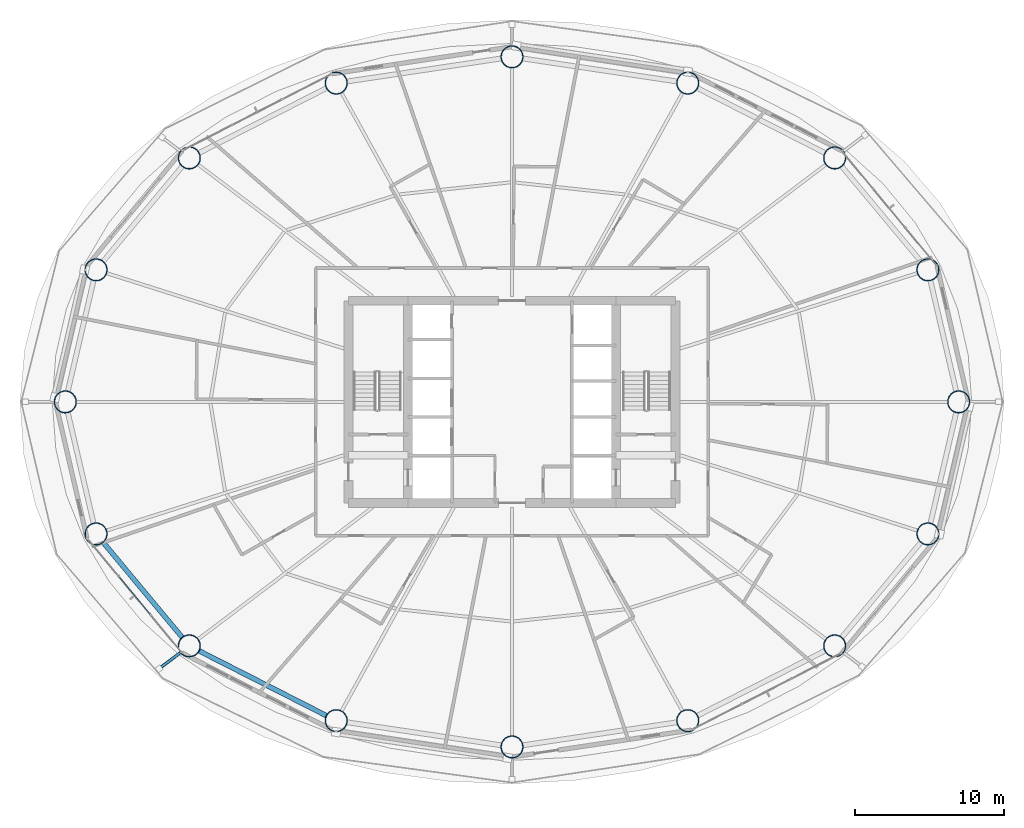
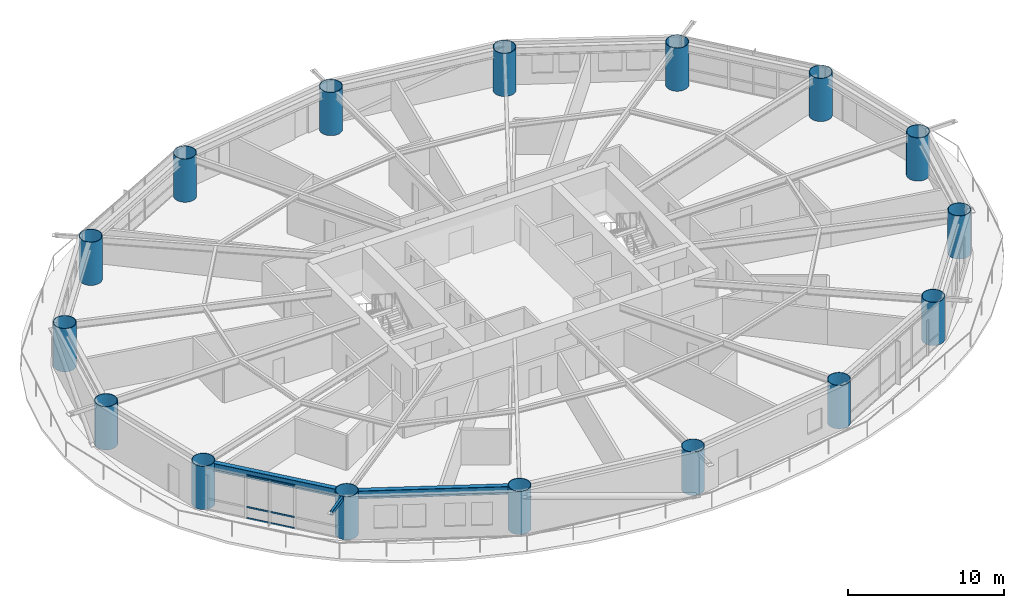
# One storey, part 1 of 26: 16 columns, 4 members, 2 beams, 1 element without a shape of its own.
"""IFC4 building model written with IfcOpenShell, lengths in metres."""

from ifc_helpers import new_model, si_unit, direction, frame, origin, origin_2d, place, context, subcontext, project, spatial, hollow_rectangle, hollow_circle, i_section, extrude, material, layer, layer_set, material_profile, profile_set, type_object, element, aggregate, save


model = new_model("IFC4")

# Units and contexts
model_context = context("Model", 3, precision=1e-05, world=origin(), true_north=direction((0.0, 1.0)))
body_context = subcontext(model_context, "Body", "Model", "MODEL_VIEW")
ifc_project = project(units=[si_unit("LENGTHUNIT", "METRE"), si_unit("AREAUNIT", "SQUARE_METRE"), si_unit("VOLUMEUNIT", "CUBIC_METRE"), si_unit("PLANEANGLEUNIT", "RADIAN"), si_unit("MASSUNIT", "GRAM", prefix="KILO")], contexts=[model_context])

# Site, building, storey
site_placement = place(None, origin())
site = spatial("IfcSite", under=ifc_project, at=site_placement, CompositionType="ELEMENT")
building_placement = place(site_placement, origin())
building = spatial("IfcBuilding", under=site, at=building_placement, Name="Sarneth Arch Tower", CompositionType="ELEMENT")
storey_placement = place(building_placement, frame((0.0, 0.0, 71.39990234375)))
storey = spatial("IfcBuildingStorey", under=building, at=storey_placement, Name="L17", CompositionType="ELEMENT", Elevation=71.39990234375)

# Columns
ifc_material_1 = material(Name="Steel S355", Category="steel")
ifc_material_profile_1 = material_profile(ifc_material_1, hollow_circle(Radius=0.75, WallThickness=0.0400390625, at=origin_2d()), Name="CHS1500x40")
ifc_profile_set_1 = profile_set([ifc_material_profile_1], Name="Steel S355")
column_type = type_object("IfcColumnType", Name="COL-MEGA-1500", PredefinedType="COLUMN", material=ifc_profile_set_1)
for number, where, z_axis, x_axis, name in (
    (1, (78.034912109375, 42.0, 0.0), (0.0, 0.0, 1.0), (1.0, 0.0, 0.0), "L17 Perimeter mega-column M01"),
    (2, (75.965576171875, 50.878173828125, 0.0), (0.0, 0.0, 1.0), (1.0, 0.0, 0.0), "L17 Perimeter mega-column M02"),
    (3, (69.696533203125, 58.40478515625, 0.0), (0.0, 0.0, 1.0), (1.0, 0.0, 0.0), "L17 Perimeter mega-column M03"),
    (4, (59.81787109375, 63.43408203125, 0.0), (0.0, 0.0, 1.0), (1.0, 0.0, 0.0), "L17 Perimeter mega-column M04"),
    (5, (48.0, 65.199951171875, 0.0), (0.0, 0.0, 1.0), (1.0, 0.0, 0.0), "L17 Perimeter mega-column M05"),
    (6, (36.18212890625, 63.43408203125, 0.0), (0.0, 0.0, 1.0), (1.0, 0.0, 0.0), "L17 Perimeter mega-column M06"),
    (7, (26.303466796875, 58.40478515625, 0.0), (0.0, 0.0, 1.0), (1.0, 0.0, 0.0), "L17 Perimeter mega-column M07"),
    (8, (20.034423828125, 50.878173828125, 0.0), (0.0, 0.0, 1.0), (1.0, 0.0, 0.0), "L17 Perimeter mega-column M08"),
    (9, (17.965087890625, 42.0, 0.0), (0.0, 0.0, 1.0), (1.0, 0.0, 0.0), "L17 Perimeter mega-column M09"),
    (10, (20.034423828125, 33.121826171875, 0.0), (0.0, 0.0, 1.0), (1.0, 0.0, 0.0), "L17 Perimeter mega-column M10"),
    (11, (26.303466796875, 25.59521484375, 0.0), (0.0, 0.0, 1.0), (1.0, 0.0, 0.0), "L17 Perimeter mega-column M11"),
    (12, (36.18212890625, 20.56591796875, 0.0), (0.0, 0.0, 1.0), (1.0, 0.0, 0.0), "L17 Perimeter mega-column M12"),
    (13, (48.0, 18.800048828125, 0.0), (0.0, 0.0, 1.0), (1.0, 0.0, 0.0), "L17 Perimeter mega-column M13"),
    (14, (59.81787109375, 20.56591796875, 0.0), (0.0, 0.0, 1.0), (1.0, 0.0, 0.0), "L17 Perimeter mega-column M14"),
    (15, (69.696533203125, 25.59521484375, 0.0), (0.0, 0.0, 1.0), (1.0, 0.0, 0.0), "L17 Perimeter mega-column M15"),
    (16, (75.965576171875, 33.121826171875, 0.0), (0.0, 0.0, 1.0), (1.0, 0.0, 0.0), "L17 Perimeter mega-column M16"),
):
    element("IfcColumn", number, at=place(storey_placement, frame(where, z_axis=z_axis, x_axis=x_axis)), inside=storey, type_object=column_type, Name=name, PredefinedType="COLUMN", context=body_context, shape_type="SweptSolid", body=[
        extrude(hollow_circle(Radius=0.75, WallThickness=0.0400390625, at=origin_2d()), origin(), (0.0, 0.0, 1.0), 3.380126953125),
    ])

# Beams
ifc_material_2 = material(Name="Steel S355", Category="steel")
ifc_material_profile_2 = material_profile(ifc_material_2, i_section(OverallWidth=0.326904296875, OverallDepth=0.6220703125, WebThickness=0.015380859375, FlangeThickness=0.0244140625, FilletRadius=0.01904296875, at=origin_2d()), Name="W610x195")
ifc_profile_set_2 = profile_set([ifc_material_profile_2], Name="Steel S355")
beam_type = type_object("IfcBeamType", Name="BM-SPAN-610A", PredefinedType="SPANDREL", material=ifc_profile_set_2)
beam_1_placement = place(storey_placement, frame((20.514404296875, 32.54541015625, 3.069091796875), z_axis=(0.639981736251, -0.768390120489, 0.0), x_axis=(0.768390120489, 0.639981736251, 0.0)))
element("IfcBeam", 17, at=beam_1_placement, inside=storey, type_object=beam_type, Name="L17 Perimeter spandrel beam 10", PredefinedType="SPANDREL", context=body_context, shape_type="SweptSolid", body=[
    extrude(i_section(OverallWidth=0.326904296875, OverallDepth=0.6220703125, WebThickness=0.015380859375, FlangeThickness=0.0244140625, FilletRadius=0.01904296875, at=origin_2d()), origin(), (0.0, 0.0, 1.0), 8.29541015625),
])
beam_2_placement = place(storey_placement, frame((26.9716796875, 25.2548828125, 3.069091796875), z_axis=(0.891169106887, -0.453671271882, 0.0), x_axis=(0.453671271882, 0.891169106887, 0.0)))
element("IfcBeam", 18, at=beam_2_placement, inside=storey, type_object=beam_type, Name="L17 Perimeter spandrel beam 11", PredefinedType="SPANDREL", context=body_context, shape_type="SweptSolid", body=[
    extrude(i_section(OverallWidth=0.326904296875, OverallDepth=0.6220703125, WebThickness=0.015380859375, FlangeThickness=0.0244140625, FilletRadius=0.01904296875, at=origin_2d()), origin(), (0.0, 0.0, 1.0), 9.58544921875),
])

# Curtain wall, members
ifc_material_3 = material(Name="Anodised aluminium Type AA25 and solar-control low-e laminated IGU", Category="aluminium")
ifc_layer = layer(ifc_material_3, 0.159912109375)
ifc_layer_set = layer_set([ifc_layer], Name="Anodised aluminium Type AA25 and solar-control low-e laminated IGU")
curtain_wall_type = type_object("IfcCurtainWallType", Name="CW-HOTEL-LOW", PredefinedType="NOTDEFINED", material=ifc_layer_set)
curtain_wall_placement = place(storey_placement, origin())
curtain_wall = element("IfcCurtainWall", 19, at=curtain_wall_placement, inside=storey, type_object=curtain_wall_type, Name="L17 Unitised curtain wall facet 10", PredefinedType="NOTDEFINED")
ifc_material_4 = material(Name="Anodised Aluminium 6063-T6", Category="aluminium")
ifc_material_profile_3 = material_profile(ifc_material_4, hollow_rectangle(XDim=0.06005859375, YDim=0.1201171875, WallThickness=0.00390625, at=origin_2d()), Name="AL-TRAN-120x60x4")
ifc_profile_set_3 = profile_set([ifc_material_profile_3], Name="Anodised Aluminium 6063-T6")
member_type_1 = type_object("IfcMemberType", Name="CW-TRANSOM", PredefinedType="USERDEFINED", material=ifc_profile_set_3)
member_1_placement = place(storey_placement, frame((21.57373046875, 30.256103515625, 0.030029296875), z_axis=(0.637268595771, -0.770641769465, 0.0), x_axis=(0.770641769465, 0.637268595771, 0.0)))
member_1 = element("IfcMember", 20, at=member_1_placement, type_object=member_type_1, Name="CW-SYS-3 transom 2.1", ObjectType="TRANSOM", PredefinedType="USERDEFINED", context=body_context, shape_type="SweptSolid", body=[
    extrude(hollow_rectangle(XDim=0.06005859375, YDim=0.1201171875, WallThickness=0.00390625, at=origin_2d()), origin(), (0.0, 0.0, 1.0), 3.291259765625),
])
member_2_placement = place(storey_placement, frame((21.57373046875, 30.256103515625, 0.900146484375), z_axis=(0.637268595771, -0.770641769465, 0.0), x_axis=(0.770641769465, 0.637268595771, 0.0)))
member_2 = element("IfcMember", 21, at=member_2_placement, type_object=member_type_1, Name="CW-SYS-3 transom 2.2", ObjectType="TRANSOM", PredefinedType="USERDEFINED", context=body_context, shape_type="SweptSolid", body=[
    extrude(hollow_rectangle(XDim=0.06005859375, YDim=0.1201171875, WallThickness=0.00390625, at=origin_2d()), origin(), (0.0, 0.0, 1.0), 3.291259765625),
])
member_3_placement = place(storey_placement, frame((21.57373046875, 30.256103515625, 3.35009765625), z_axis=(0.637268595771, -0.770641769465, 0.0), x_axis=(0.770641769465, 0.637268595771, 0.0)))
member_3 = element("IfcMember", 22, at=member_3_placement, type_object=member_type_1, Name="CW-SYS-3 transom 2.3", ObjectType="TRANSOM", PredefinedType="USERDEFINED", context=body_context, shape_type="SweptSolid", body=[
    extrude(hollow_rectangle(XDim=0.06005859375, YDim=0.1201171875, WallThickness=0.00390625, at=origin_2d()), origin(), (0.0, 0.0, 1.0), 3.291259765625),
])
aggregate(curtain_wall, [member_1, member_2, member_3])

# Member
ifc_material_5 = material(Name="Steel S355", Category="steel")
ifc_material_profile_4 = material_profile(ifc_material_5, hollow_rectangle(XDim=0.199951171875, YDim=0.300048828125, WallThickness=0.012451171875, InnerFilletRadius=0.018798828125, OuterFilletRadius=0.03125, at=origin_2d()), Name="RHS300x200x12.5")
ifc_profile_set_4 = profile_set([ifc_material_profile_4], Name="Steel S355")
member_type_2 = type_object("IfcMemberType", Name="MEM-CANT-STRUT", PredefinedType="STRUT", material=ifc_profile_set_4)
member_4_placement = place(storey_placement, frame((25.705078125, 25.142822265625, 3.22021484375), z_axis=(-0.79761146582, -0.603171575584, 0.0), x_axis=(0.603171575584, -0.79761146582, 0.0)))
element("IfcMember", 23, at=member_4_placement, inside=storey, type_object=member_type_2, Name="L17 Balcony cantilever bracket 11", PredefinedType="STRUT", context=body_context, shape_type="SweptSolid", body=[
    extrude(hollow_rectangle(XDim=0.199951171875, YDim=0.300048828125, WallThickness=0.012451171875, InnerFilletRadius=0.018798828125, OuterFilletRadius=0.03125, at=origin_2d()), origin(), (0.0, 0.0, 1.0), 1.79541015625),
])

save(model, "model.ifc")
